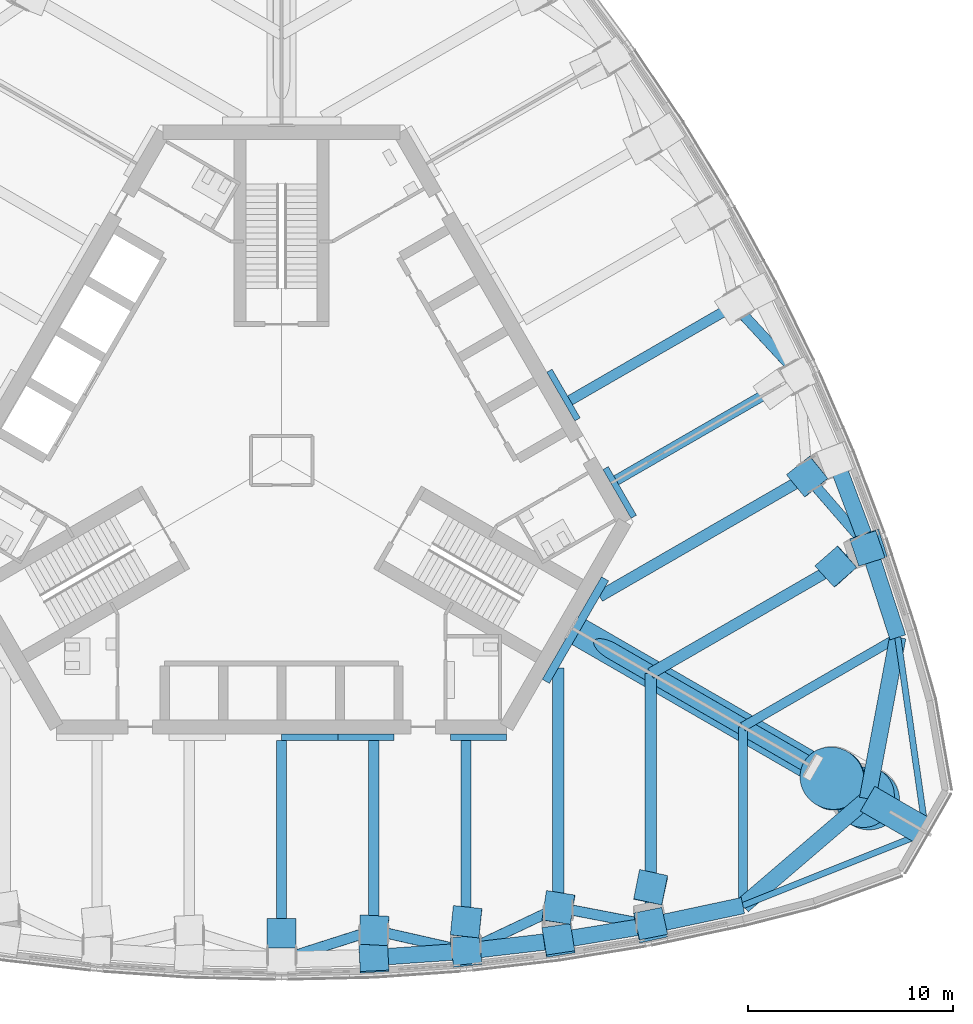
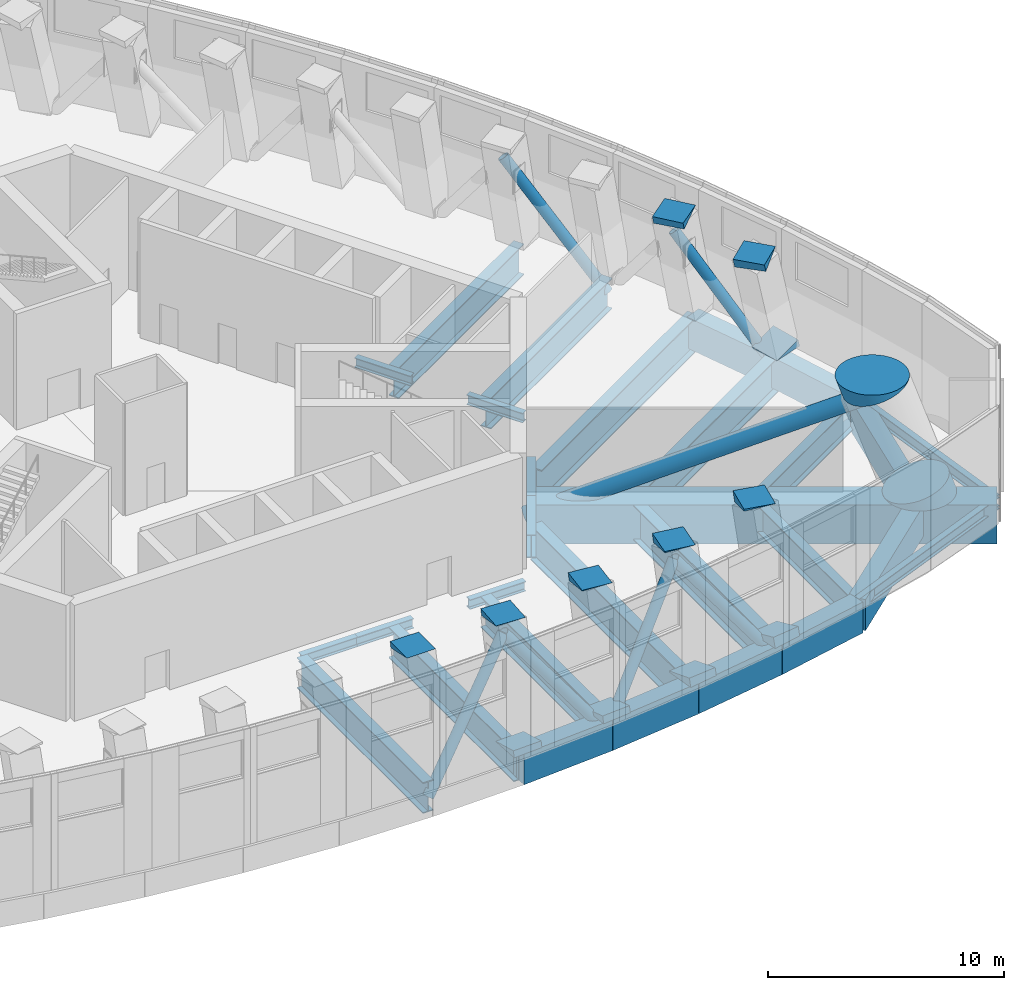
# One storey, part 3 of 22: 30 beams, 21 members.
"""IFC4 building model written with IfcOpenShell, lengths in metres."""

from ifc_helpers import new_model, si_unit, direction, frame, origin, origin_2d, place, context, subcontext, project, spatial, rectangle, circle, hollow_circle, i_section, extrude, clip, halfspace, material, material_profile, profile_set, type_object, element, save


model = new_model("IFC4")

# Units and contexts
model_context = context("Model", 3, precision=1e-05, world=origin(), true_north=direction((0.0, 1.0)))
body_context = subcontext(model_context, "Body", "Model", "MODEL_VIEW")
ifc_project = project(units=[si_unit("LENGTHUNIT", "METRE"), si_unit("AREAUNIT", "SQUARE_METRE"), si_unit("VOLUMEUNIT", "CUBIC_METRE"), si_unit("PLANEANGLEUNIT", "RADIAN"), si_unit("MASSUNIT", "GRAM", prefix="KILO")], contexts=[model_context])

# Site, building, storey
site_placement = place(None, origin())
site = spatial("IfcSite", under=ifc_project, at=site_placement, CompositionType="ELEMENT")
building_placement = place(site_placement, origin())
building = spatial("IfcBuilding", under=site, at=building_placement, Name="Trefoil Bronze Tower", CompositionType="ELEMENT")
storey_placement = place(building_placement, frame((0.0, 0.0, 265.300048828125)))
storey = spatial("IfcBuildingStorey", under=building, at=storey_placement, Name="L61", CompositionType="ELEMENT", Elevation=265.300048828125)

# Members
ifc_material_1 = material(Name="Steel C355", Category="steel")
ifc_material_profile_1 = material_profile(ifc_material_1, hollow_circle(Radius=0.25390625, WallThickness=0.02001953125, at=origin_2d()), Name="CHS 508x20")
ifc_profile_set_1 = profile_set([ifc_material_profile_1], Name="Steel C355")
member_type_1 = type_object("IfcMemberType", Name="Belt truss diagonal CHS 508x20", PredefinedType="BRACE", material=ifc_profile_set_1)
member_1_placement = place(storey_placement, frame((0.0, -24.3505859375, -1.050048828125), z_axis=(0.586260665905, 0.187182292689, 0.788201256607), x_axis=(-0.304154940305, 0.952622575991, 0.0)))
element("IfcMember", 1, at=member_1_placement, inside=storey, type_object=member_type_1, Name="Belt truss diagonal F1.5 L61", PredefinedType="BRACE", context=body_context, shape_type="SweptSolid", body=[
    extrude(hollow_circle(Radius=0.25390625, WallThickness=0.02001953125, at=origin_2d()), origin(), (0.0, 0.0, 1.0), 7.67578125),
])
member_2_placement = place(storey_placement, frame((9.0, -23.932861328125, -1.050048828125), z_axis=(-0.591432198827, 0.133932183046, 0.795154151429), x_axis=(-0.220861740551, -0.975305127414, 0.0)))
element("IfcMember", 2, at=member_2_placement, inside=storey, type_object=member_type_1, Name="Belt truss diagonal F1.6 L61", PredefinedType="BRACE", context=body_context, shape_type="SweptSolid", body=[
    extrude(hollow_circle(Radius=0.25390625, WallThickness=0.02001953125, at=origin_2d()), origin(), (0.0, 0.0, 1.0), 7.608642578125),
])
member_3_placement = place(storey_placement, frame((9.0, -23.932861328125, -1.050048828125), z_axis=(0.574330415739, 0.271865933015, 0.7721615686), x_axis=(-0.427848134135, 0.903850637062, 0.0)))
element("IfcMember", 3, at=member_3_placement, inside=storey, type_object=member_type_1, Name="Belt truss diagonal F1.7 L61", PredefinedType="BRACE", context=body_context, shape_type="SweptSolid", body=[
    extrude(hollow_circle(Radius=0.25390625, WallThickness=0.02001953125, at=origin_2d()), origin(), (0.0, 0.0, 1.0), 7.835205078125),
])
member_4_placement = place(storey_placement, frame((18.0, -22.6689453125, -1.050048828125), z_axis=(-0.592909499629, 0.114129931895, 0.797140316315), x_axis=(-0.189021276876, -0.981972991934, 0.0)))
element("IfcMember", 4, at=member_4_placement, inside=storey, type_object=member_type_1, Name="Belt truss diagonal F1.8 L61", PredefinedType="BRACE", context=body_context, shape_type="SweptSolid", body=[
    extrude(hollow_circle(Radius=0.25390625, WallThickness=0.02001953125, at=origin_2d()), origin(), (0.0, 0.0, 1.0), 7.589599609375),
])
member_5_placement = place(storey_placement, frame((28.632080078125, -4.25390625, -1.050048828125), z_axis=(-0.395333956478, 0.456387158219, 0.797133504921), x_axis=(-0.755854289875, -0.654739866265, 0.0)))
element("IfcMember", 5, at=member_5_placement, inside=storey, type_object=member_type_1, Name="Belt truss diagonal F2.1 L61", PredefinedType="BRACE", context=body_context, shape_type="SweptSolid", body=[
    extrude(hollow_circle(Radius=0.25390625, WallThickness=0.02001953125, at=origin_2d()), origin(), (0.0, 0.0, 1.0), 7.58984375),
])
member_6_placement = place(storey_placement, frame((25.2265625, 4.17236328125, -1.050048828125), z_axis=(-0.411713780326, 0.445213054479, 0.795158537156), x_axis=(-0.734188455792, -0.678945735226, 0.0)))
element("IfcMember", 6, at=member_6_placement, inside=storey, type_object=member_type_1, Name="Belt truss diagonal F2.3 L61", PredefinedType="BRACE", context=body_context, shape_type="SweptSolid", body=[
    extrude(hollow_circle(Radius=0.25390625, WallThickness=0.02001953125, at=origin_2d()), origin(), (0.0, 0.0, 1.0), 7.608642578125),
])
ifc_material_2 = material(Name="Concrete B80", Category="concrete")
ifc_material_profile_2 = material_profile(ifc_material_2, rectangle(XDim=1.39990234375, YDim=1.39990234375, at=origin_2d()), Name="RC 1400x1400")
ifc_profile_set_2 = profile_set([ifc_material_profile_2], Name="Concrete B80")
member_type_2 = type_object("IfcMemberType", Name="Column node RC 1400x1400", PredefinedType="MEMBER", material=ifc_profile_set_2)
member_7_placement = place(storey_placement, frame((0.0, -23.019287109375, 6.149169921875), z_axis=(0.0, -0.211931582574, -0.977284505304), x_axis=(-1.0, 0.0, 0.0)))
element("IfcMember", 7, at=member_7_placement, inside=storey, type_object=member_type_2, Name="Column node TC1414 L61 top", PredefinedType="MEMBER", context=body_context, shape_type="Clipping", body=[
    clip(extrude(rectangle(XDim=1.39990234375, YDim=1.39990234375, at=origin_2d()), origin(), (0.0, 0.0, 1.0), 0.30517578125), halfspace(frame((0.0, 0.0, 0.152587890625), z_axis=(-2.595413342376598e-17, 0.21193158257414513, 0.9772845053041711), x_axis=(0.0, 0.9772845053041711, -0.21193158257414513)), True)),
])
member_8_placement = place(storey_placement, frame((4.5, -24.281982421875, -0.160400390625), z_axis=(0.0, 0.216930457819, 0.976187060184), x_axis=(0.998647449016, 0.050754898739, -0.011278866387)))
element("IfcMember", 8, at=member_8_placement, inside=storey, type_object=member_type_2, Name="Column node TC1414 L61 bottom", PredefinedType="MEMBER", context=body_context, shape_type="Clipping", body=[
    clip(extrude(rectangle(XDim=1.39990234375, YDim=1.39990234375, at=origin_2d()), origin(), (0.0, 0.0, 1.0), 0.32861328125), halfspace(frame((0.0, 0.0, 0.164306640625), z_axis=(-0.011278866386525954, -0.21663704831456382, 0.9761870601839528), x_axis=(0.0, 0.9762491578665183, 0.21665082913507133)), True)),
])
member_9_placement = place(storey_placement, frame((4.5, -22.878173828125, 6.160400390625), z_axis=(0.0, -0.216930457819, -0.976187060184), x_axis=(-0.998647449016, 0.050754898739, -0.011278866387)))
element("IfcMember", 9, at=member_9_placement, inside=storey, type_object=member_type_2, Name="Column node TC1414 L61 top", PredefinedType="MEMBER", context=body_context, shape_type="Clipping", body=[
    clip(extrude(rectangle(XDim=1.39990234375, YDim=1.39990234375, at=origin_2d()), origin(), (0.0, 0.0, 1.0), 0.32861328125), halfspace(frame((0.0, 0.0, 0.164306640625), z_axis=(0.011278866386525954, 0.21663704831456382, 0.9761870601839528), x_axis=(0.0, 0.9762491578665183, -0.21665082913507133)), True)),
])
member_10_placement = place(storey_placement, frame((9.0, -23.975830078125, -0.1796875), z_axis=(0.0, 0.231948088416, 0.972728165666), x_axis=(0.994615241978, 0.10081012514, -0.024038283916)))
element("IfcMember", 10, at=member_10_placement, inside=storey, type_object=member_type_2, Name="Column node TC1414 L61 bottom", PredefinedType="MEMBER", context=body_context, shape_type="Clipping", body=[
    clip(extrude(rectangle(XDim=1.39990234375, YDim=1.39990234375, at=origin_2d()), origin(), (0.0, 0.0, 1.0), 0.369384765625), halfspace(frame((0.0, 0.0, 0.1845703125), z_axis=(-0.02403828391574138, -0.23069910408659625, 0.9727281656660447), x_axis=(0.0, 0.9730093277025166, 0.23076578646735452)), True)),
])
member_11_placement = place(storey_placement, frame((9.0, -22.456298828125, 6.1796875), z_axis=(0.0, -0.231948088416, -0.972728165666), x_axis=(-0.994615241978, 0.10081012514, -0.024038283916)))
element("IfcMember", 11, at=member_11_placement, inside=storey, type_object=member_type_2, Name="Column node TC1414 L61 top", PredefinedType="MEMBER", context=body_context, shape_type="Clipping", body=[
    clip(extrude(rectangle(XDim=1.39990234375, YDim=1.39990234375, at=origin_2d()), origin(), (0.0, 0.0, 1.0), 0.369384765625), halfspace(frame((0.0, 0.0, 0.184814453125), z_axis=(0.02403828391574138, 0.23069910408659625, 0.9727281656660447), x_axis=(0.0, 0.9730093277025166, -0.23076578646735452)), True)),
])
member_12_placement = place(storey_placement, frame((13.5, -23.4638671875, -0.207763671875), z_axis=(0.0, 0.258263185459, 0.966074597035), x_axis=(0.987991746105, 0.149264964439, -0.03990338356)))
element("IfcMember", 12, at=member_12_placement, inside=storey, type_object=member_type_2, Name="Column node TC1414 L61 bottom", PredefinedType="MEMBER", context=body_context, shape_type="Clipping", body=[
    clip(extrude(rectangle(XDim=1.39990234375, YDim=1.39990234375, at=origin_2d()), origin(), (0.0, 0.0, 1.0), 0.43017578125), halfspace(frame((0.0, 0.0, 0.215087890625), z_axis=(-0.03990338356040062, -0.2551618955561232, 0.9660745970351553), x_axis=(0.0, 0.9668446473982658, 0.2553652830698079)), True)),
])
member_13_placement = place(storey_placement, frame((13.5, -21.7470703125, 6.207763671875), z_axis=(0.0, -0.258792820704, -0.965932852714), x_axis=(-0.987991746105, 0.149243063997, -0.039985215736)))
element("IfcMember", 13, at=member_13_placement, inside=storey, type_object=member_type_2, Name="Column node TC1414 L61 top", PredefinedType="MEMBER", context=body_context, shape_type="Clipping", body=[
    clip(extrude(rectangle(XDim=1.39990234375, YDim=1.39990234375, at=origin_2d()), origin(), (0.0, 0.0, 1.0), 0.43017578125), halfspace(frame((0.0, 0.0, 0.215087890625), z_axis=(0.039985215735906535, 0.25568517080640274, 0.9659328527140246), x_axis=(0.0, 0.9667059550382476, -0.25588981318839066)), True)),
])
member_14_placement = place(storey_placement, frame((18.0, -22.744873046875, -0.245361328125), z_axis=(0.0, 0.295187934883, 0.955439209526), x_axis=(0.97894629738, 0.195022314645, -0.060253162883)))
element("IfcMember", 14, at=member_14_placement, inside=storey, type_object=member_type_2, Name="Column node TC1414 L61 bottom", PredefinedType="MEMBER", context=body_context, shape_type="Clipping", body=[
    clip(extrude(rectangle(XDim=1.39990234375, YDim=1.39990234375, at=origin_2d()), origin(), (0.0, 0.0, 1.0), 0.513671875), halfspace(frame((0.0, 0.0, 0.2568359375), z_axis=(-0.0602531628828244, -0.28897313588517376, 0.9554392095258101), x_axis=(0.0, 0.9571782802592637, 0.2894991188240796)), True)),
])
member_15_placement = place(storey_placement, frame((18.0, -20.740478515625, 6.245361328125), z_axis=(0.0, -0.29475392013, -0.95557319268), x_axis=(-0.97894629738, 0.195049663015, -0.060164572671)))
element("IfcMember", 15, at=member_15_placement, inside=storey, type_object=member_type_2, Name="Column node TC1414 L61 top", PredefinedType="MEMBER", context=body_context, shape_type="Clipping", body=[
    clip(extrude(rectangle(XDim=1.39990234375, YDim=1.39990234375, at=origin_2d()), origin(), (0.0, 0.0, 1.0), 0.513427734375), halfspace(frame((0.0, 0.0, 0.2568359375), z_axis=(0.06016457267118556, 0.28854825874941586, 0.955573192679647), x_axis=(0.0, 0.9573073824973932, -0.28907192083630256)), True)),
])
member_16_placement = place(storey_placement, frame((25.58349609375, -0.81787109375, 6.207763671875), z_axis=(0.224170970266, 0.129394889166, -0.965921497197), x_axis=(0.623163507295, -0.781068436186, 0.039991763767)))
element("IfcMember", 16, at=member_16_placement, inside=storey, type_object=member_type_2, Name="Column node TC1414 L61 top", PredefinedType="MEMBER", context=body_context, shape_type="Clipping", body=[
    clip(extrude(rectangle(XDim=1.39990234375, YDim=1.39990234375, at=origin_2d()), origin(), (0.0, 0.0, 1.0), 0.43017578125), halfspace(frame((0.0, 0.0, 0.215087890625), z_axis=(-0.03999176376691203, 0.25572704214297737, 0.9659214971971664), x_axis=(0.0, 0.9666948439632254, -0.255931785159474)), True)),
])
member_17_placement = place(storey_placement, frame((28.697509765625, -4.216064453125, -0.245361328125), z_axis=(-0.25529293696, -0.147375810908, 0.955565741693), x_axis=(-0.320507525756, 0.94533304017, 0.060169503046)))
element("IfcMember", 17, at=member_17_placement, inside=storey, type_object=member_type_2, Name="Column node TC1414 L61 bottom", PredefinedType="MEMBER", context=body_context, shape_type="Clipping", body=[
    clip(extrude(rectangle(XDim=1.39990234375, YDim=1.39990234375, at=origin_2d()), origin(), (0.0, 0.0, 1.0), 0.513427734375), halfspace(frame((0.0, 0.0, 0.2568359375), z_axis=(0.06016950304559612, -0.28857190474053634, 0.9555657416931944), x_axis=(0.0, 0.957300202999786, 0.2890956958112114)), True)),
])
member_18_placement = place(storey_placement, frame((26.961669921875, -5.21826171875, 6.245361328125), z_axis=(0.25573727753, 0.147357910844, -0.95544967999), x_axis=(0.657726052842, -0.750844077946, 0.060246244908)))
element("IfcMember", 18, at=member_18_placement, inside=storey, type_object=member_type_2, Name="Column node TC1414 L61 top", PredefinedType="MEMBER", context=body_context, shape_type="Clipping", body=[
    clip(extrude(rectangle(XDim=1.39990234375, YDim=1.39990234375, at=origin_2d()), origin(), (0.0, 0.0, 1.0), 0.513671875), halfspace(frame((0.0, 0.0, 0.2568359375), z_axis=(-0.06024624490829453, 0.2889399573979671, 0.9554496799901662), x_axis=(0.0, 0.9571883693663649, -0.28946575885544656)), True)),
])
ifc_material_3 = material(Name="Concrete B80", Category="concrete")
ifc_material_profile_3 = material_profile(ifc_material_3, circle(Radius=1.5, at=origin_2d()), Name="RC D3000")
ifc_profile_set_3 = profile_set([ifc_material_profile_3], Name="Concrete B80")
member_type_3 = type_object("IfcMemberType", Name="Column node RC D3000", PredefinedType="MEMBER", material=ifc_profile_set_3)
member_19_placement = place(storey_placement, frame((28.716064453125, -16.5791015625, -0.475341796875), z_axis=(-0.273849064613, 0.157877396681, 0.948726207832), x_axis=(-0.499455527893, -0.866339526777, 0.0)))
element("IfcMember", 19, at=member_19_placement, inside=storey, type_object=member_type_3, Name="Column node MC30 L61 bottom", PredefinedType="MEMBER", context=body_context, shape_type="Clipping", body=[
    clip(extrude(circle(Radius=1.5, at=origin_2d()), origin(), (0.0, 0.0, 1.0), 1.001953125), halfspace(frame((0.0, 0.0, 0.5009765625), z_axis=(0.0, 0.3160990075470131, 0.9487262078322668), x_axis=(0.0, 0.9487262078322668, -0.3160990075470131)), True)),
])
member_20_placement = place(storey_placement, frame((26.70947265625, -15.4208984375, 6.475341796875), z_axis=(0.273849064613, -0.157877396681, -0.948726207832), x_axis=(0.499455527893, 0.866339526777, 0.0)))
element("IfcMember", 20, at=member_20_placement, inside=storey, type_object=member_type_3, Name="Column node MC30 L61 top", PredefinedType="MEMBER", context=body_context, shape_type="Clipping", body=[
    clip(extrude(circle(Radius=1.5, at=origin_2d()), origin(), (0.0, 0.0, 1.0), 1.001953125), halfspace(frame((0.0, 0.0, 0.501220703125), z_axis=(0.0, -0.3160990075470131, 0.9487262078322668), x_axis=(0.0, 0.9487262078322668, 0.3160990075470131)), True)),
])

# Beams
ifc_material_4 = material(Name="Steel C355", Category="steel")
ifc_material_profile_4 = material_profile(ifc_material_4, i_section(OverallWidth=0.300048828125, OverallDepth=0.5, WebThickness=0.014404296875, FlangeThickness=0.028076171875, FilletRadius=0.027099609375, at=origin_2d()), Name="HEB 500")
ifc_profile_set_4 = profile_set([ifc_material_profile_4], Name="Steel C355")
beam_type_1 = type_object("IfcBeamType", Name="Core seat beam HEB 500", PredefinedType="BEAM", material=ifc_profile_set_4)
for number, where, z_axis, x_axis, name in (
    (21, (0.0, -13.5, -0.5), (1.0, 0.0, 0.0), (0.0, 1.0, 0.0), "Core seat beam F1/+0 L61"),
    (22, (2.742431640625, -13.5, -0.5), (1.0, 0.0, 0.0), (0.0, 1.0, 0.0), "Core seat beam F1/+1 L61"),
    (23, (8.227294921875, -13.5, -0.5), (1.0, 0.0, 0.0), (0.0, 1.0, 0.0), "Core seat beam F1/+2 L61"),
    (24, (17.17626953125, -2.75, -0.5), (-0.500035825175, 0.866004719122, 0.0), (-0.866004719122, -0.500035825175, 0.0), "Core seat beam F2/-2 L61"),
    (25, (14.433837890625, 2.0, -0.5), (-0.500035825175, 0.866004719122, 0.0), (-0.866004719122, -0.500035825175, 0.0), "Core seat beam F2/-1 L61"),
):
    element("IfcBeam", number, at=place(storey_placement, frame(where, z_axis=z_axis, x_axis=x_axis)), inside=storey, type_object=beam_type_1, Name=name, PredefinedType="BEAM", context=body_context, shape_type="SweptSolid", body=[
        extrude(i_section(OverallWidth=0.300048828125, OverallDepth=0.5, WebThickness=0.014404296875, FlangeThickness=0.028076171875, FilletRadius=0.027099609375, at=origin_2d()), origin(), (0.0, 0.0, 1.0), 2.742431640625),
    ])
ifc_material_5 = material(Name="Steel C355", Category="steel")
ifc_material_profile_5 = material_profile(ifc_material_5, i_section(OverallWidth=0.39990234375, OverallDepth=1.199951171875, WebThickness=0.02001953125, FlangeThickness=0.0400390625, FilletRadius=0.010009765625, at=origin_2d()), Name="WPG 1200")
ifc_profile_set_5 = profile_set([ifc_material_profile_5], Name="Steel C355")
beam_type_2 = type_object("IfcBeamType", Name="Core seat beam WPG 1200", PredefinedType="BEAM", material=ifc_profile_set_5)
for number, where, z_axis, x_axis, name in (
    (26, (12.889404296875, -10.77490234375, -0.85009765625), (0.499995765644, 0.866027848477, 0.0), (-0.866027848477, 0.499995765644, 0.0), "Core seat beam F1/+3 L61"),
    (27, (14.332763671875, -8.27490234375, -0.85009765625), (0.499995765644, 0.866027848477, 0.0), (-0.866027848477, 0.499995765644, 0.0), "Core seat beam F2/-3 L61"),
):
    element("IfcBeam", number, at=place(storey_placement, frame(where, z_axis=z_axis, x_axis=x_axis)), inside=storey, type_object=beam_type_2, Name=name, PredefinedType="BEAM", context=body_context, shape_type="SweptSolid", body=[
        extrude(i_section(OverallWidth=0.39990234375, OverallDepth=1.199951171875, WebThickness=0.02001953125, FlangeThickness=0.0400390625, FilletRadius=0.010009765625, at=origin_2d()), origin(), (0.0, 0.0, 1.0), 2.88671875),
    ])
ifc_material_6 = material(Name="Concrete B80", Category="concrete")
ifc_material_profile_6 = material_profile(ifc_material_6, rectangle(XDim=1.39990234375, YDim=2.0, at=origin_2d()), Name="RC 1400x2000")
ifc_profile_set_6 = profile_set([ifc_material_profile_6], Name="Concrete B80")
beam_type_3 = type_object("IfcBeamType", Name="Corner cantilever RC 1400x2000", PredefinedType="BEAM", material=ifc_profile_set_6)
beam_1_placement = place(storey_placement, frame((28.578857421875, -16.5, -1.25), z_axis=(0.866016004958, -0.500016278891, 0.0), x_axis=(0.500016278891, 0.866016004958, 0.0)))
element("IfcBeam", 28, at=beam_1_placement, inside=storey, type_object=beam_type_3, Name="Corner cantilever K1 L61", PredefinedType="BEAM", context=body_context, shape_type="SweptSolid", body=[
    extrude(rectangle(XDim=1.39990234375, YDim=2.0, at=origin_2d()), origin(), (0.0, 0.0, 1.0), 3.28466796875),
])
ifc_material_7 = material(Name="Steel C355", Category="steel")
ifc_material_profile_7 = material_profile(ifc_material_7, i_section(OverallWidth=0.300048828125, OverallDepth=0.60009765625, WebThickness=0.015380859375, FlangeThickness=0.030029296875, FilletRadius=0.027099609375, at=origin_2d()), Name="HEB 600")
ifc_profile_set_7 = profile_set([ifc_material_profile_7], Name="Steel C355")
beam_type_4 = type_object("IfcBeamType", Name="Corner edge beam HEB 600", PredefinedType="BEAM", material=ifc_profile_set_7)
for number, where, z_axis, x_axis, name in (
    (29, (22.5, -21.71044921875, -0.550048828125), (0.92852048463, 0.371281173266, 0.0), (-0.371281173266, 0.92852048463, 0.0), "Corner edge beam F1A L61"),
    (30, (30.052001953125, -8.63037109375, -0.550048828125), (0.142694489722, -0.989766781925, 0.0), (0.989766781925, 0.142694489722, 0.0), "Corner edge beam F2B L61"),
):
    element("IfcBeam", number, at=place(storey_placement, frame(where, z_axis=z_axis, x_axis=x_axis)), inside=storey, type_object=beam_type_4, Name=name, PredefinedType="BEAM", context=body_context, shape_type="SweptSolid", body=[
        extrude(i_section(OverallWidth=0.300048828125, OverallDepth=0.60009765625, WebThickness=0.015380859375, FlangeThickness=0.030029296875, FilletRadius=0.027099609375, at=origin_2d()), origin(), (0.0, 0.0, 1.0), 9.6103515625),
    ])
ifc_material_8 = material(Name="Concrete B80", Category="concrete")
ifc_material_profile_8 = material_profile(ifc_material_8, rectangle(XDim=1.39990234375, YDim=2.0, at=origin_2d()), Name="RC 1400x2000")
ifc_profile_set_8 = profile_set([ifc_material_profile_8], Name="Concrete B80")
beam_type_5 = type_object("IfcBeamType", Name="Corner girder RC 1400x2000", PredefinedType="BEAM", material=ifc_profile_set_8)
beam_2_placement = place(storey_placement, frame((14.159423828125, -8.175048828125, -1.25), z_axis=(0.866028334591, -0.49999492366, 0.0), x_axis=(0.49999492366, 0.866028334591, 0.0)))
element("IfcBeam", 31, at=beam_2_placement, inside=storey, type_object=beam_type_5, Name="Corner girder K1 L61", PredefinedType="BEAM", context=body_context, shape_type="SweptSolid", body=[
    extrude(rectangle(XDim=1.39990234375, YDim=2.0, at=origin_2d()), origin(), (0.0, 0.0, 1.0), 16.650146484375),
])
ifc_material_9 = material(Name="Concrete B80", Category="concrete")
ifc_material_profile_9 = material_profile(ifc_material_9, rectangle(XDim=0.800048828125, YDim=1.60009765625, at=origin_2d()), Name="RC 800x1600")
ifc_profile_set_9 = profile_set([ifc_material_profile_9], Name="Concrete B80")
beam_type_6 = type_object("IfcBeamType", Name="End spandrel beam RC 800x1600", PredefinedType="SPANDREL", material=ifc_profile_set_9)
for number, where, z_axis, x_axis, name in (
    (32, (22.5, -21.71044921875, -1.050048828125), (0.759256602365, 0.650791373456, 0.0), (-0.650791373456, 0.759256602365, 0.0), "Spandrel F1.12 L61"),
    (33, (28.578857421875, -16.5, -1.050048828125), (0.18399763073, 0.982926686933, 0.0), (-0.982926686933, 0.18399763073, 0.0), "Spandrel F2.1 L61"),
):
    element("IfcBeam", number, at=place(storey_placement, frame(where, z_axis=z_axis, x_axis=x_axis)), inside=storey, type_object=beam_type_6, Name=name, PredefinedType="SPANDREL", context=body_context, shape_type="SweptSolid", body=[
        extrude(rectangle(XDim=0.800048828125, YDim=1.60009765625, at=origin_2d()), origin(), (0.0, 0.0, 1.0), 8.00634765625),
    ])
ifc_material_10 = material(Name="Steel C355", Category="steel")
ifc_material_profile_10 = material_profile(ifc_material_10, i_section(OverallWidth=0.449951171875, OverallDepth=1.39990234375, WebThickness=0.02294921875, FlangeThickness=0.044921875, FilletRadius=0.011962890625, at=origin_2d()), Name="WPG 1400")
ifc_profile_set_10 = profile_set([ifc_material_profile_10], Name="Steel C355")
beam_type_7 = type_object("IfcBeamType", Name="Floor beam WPG 1400", PredefinedType="BEAM", material=ifc_profile_set_10)
beam_3_placement = place(storey_placement, frame((22.5, -21.71044921875, -0.949951171875), z_axis=(0.0, 1.0, 0.0), x_axis=(-1.0, 0.0, 0.0)))
element("IfcBeam", 34, at=beam_3_placement, inside=storey, type_object=beam_type_7, Name="Floor beam F1/+5 L61", PredefinedType="BEAM", context=body_context, shape_type="SweptSolid", body=[
    extrude(i_section(OverallWidth=0.449951171875, OverallDepth=1.39990234375, WebThickness=0.02294921875, FlangeThickness=0.044921875, FilletRadius=0.011962890625, at=origin_2d()), origin(), (0.0, 0.0, 1.0), 8.719970703125),
])
beam_4_placement = place(storey_placement, frame((30.052001953125, -8.63037109375, -0.949951171875), z_axis=(-0.866027535932, -0.499996306993, 0.0), x_axis=(0.499996306993, -0.866027535932, 0.0)))
element("IfcBeam", 35, at=beam_4_placement, inside=storey, type_object=beam_type_7, Name="Floor beam F2/-5 L61", PredefinedType="BEAM", context=body_context, shape_type="SweptSolid", body=[
    extrude(i_section(OverallWidth=0.449951171875, OverallDepth=1.39990234375, WebThickness=0.02294921875, FlangeThickness=0.044921875, FilletRadius=0.011962890625, at=origin_2d()), origin(), (0.0, 0.0, 1.0), 8.72021484375),
])
ifc_material_11 = material(Name="Steel C355", Category="steel")
ifc_material_profile_11 = material_profile(ifc_material_11, i_section(OverallWidth=0.5, OverallDepth=1.60009765625, WebThickness=0.02587890625, FlangeThickness=0.050048828125, FilletRadius=0.011962890625, at=origin_2d()), Name="WPG 1600")
ifc_profile_set_11 = profile_set([ifc_material_profile_11], Name="Steel C355")
beam_type_8 = type_object("IfcBeamType", Name="Floor beam WPG 1600", PredefinedType="BEAM", material=ifc_profile_set_11)
beam_5_placement = place(storey_placement, frame((0.0, -24.3505859375, -1.050048828125), z_axis=(0.0, 1.0, 0.0), x_axis=(-1.0, 0.0, 0.0)))
element("IfcBeam", 36, at=beam_5_placement, inside=storey, type_object=beam_type_8, Name="Floor beam F1/+0 L61", PredefinedType="BEAM", context=body_context, shape_type="SweptSolid", body=[
    extrude(i_section(OverallWidth=0.5, OverallDepth=1.60009765625, WebThickness=0.02587890625, FlangeThickness=0.050048828125, FilletRadius=0.011962890625, at=origin_2d()), origin(), (0.0, 0.0, 1.0), 10.70068359375),
])
beam_6_placement = place(storey_placement, frame((4.5, -24.246337890625, -1.050048828125), z_axis=(0.0, 1.0, 0.0), x_axis=(-1.0, 0.0, 0.0)))
element("IfcBeam", 37, at=beam_6_placement, inside=storey, type_object=beam_type_8, Name="Floor beam F1/+1 L61", PredefinedType="BEAM", context=body_context, shape_type="SweptSolid", body=[
    extrude(i_section(OverallWidth=0.5, OverallDepth=1.60009765625, WebThickness=0.02587890625, FlangeThickness=0.050048828125, FilletRadius=0.011962890625, at=origin_2d()), origin(), (0.0, 0.0, 1.0), 10.596435546875),
])
for number, where, z_axis, x_axis, name in (
    (38, (9.0, -23.932861328125, -1.050048828125), (0.0, 1.0, 0.0), (-1.0, 0.0, 0.0), "Floor beam F1/+2 L61"),
    (39, (25.2265625, 4.17236328125, -1.050048828125), (-0.866019527493, -0.500010177898, 0.0), (0.500010177898, -0.866019527493, 0.0), "Floor beam F2/-2 L61"),
):
    element("IfcBeam", number, at=place(storey_placement, frame(where, z_axis=z_axis, x_axis=x_axis)), inside=storey, type_object=beam_type_8, Name=name, PredefinedType="BEAM", context=body_context, shape_type="SweptSolid", body=[
        extrude(i_section(OverallWidth=0.5, OverallDepth=1.60009765625, WebThickness=0.02587890625, FlangeThickness=0.050048828125, FilletRadius=0.011962890625, at=origin_2d()), origin(), (0.0, 0.0, 1.0), 10.282958984375),
    ])
beam_7_placement = place(storey_placement, frame((23.248046875, 8.22607421875, -1.050048828125), z_axis=(-0.86602981261, -0.499992363612, 0.0), x_axis=(0.499992363612, -0.86602981261, 0.0)))
element("IfcBeam", 40, at=beam_7_placement, inside=storey, type_object=beam_type_8, Name="Floor beam F2/-1 L61", PredefinedType="BEAM", context=body_context, shape_type="SweptSolid", body=[
    extrude(i_section(OverallWidth=0.5, OverallDepth=1.60009765625, WebThickness=0.02587890625, FlangeThickness=0.050048828125, FilletRadius=0.011962890625, at=origin_2d()), origin(), (0.0, 0.0, 1.0), 10.596435546875),
])
ifc_material_12 = material(Name="Steel C355", Category="steel")
ifc_material_profile_12 = material_profile(ifc_material_12, i_section(OverallWidth=0.550048828125, OverallDepth=1.800048828125, WebThickness=0.029052734375, FlangeThickness=0.054931640625, FilletRadius=0.013916015625, at=origin_2d()), Name="WPG 1800")
ifc_profile_set_12 = profile_set([ifc_material_profile_12], Name="Steel C355")
beam_type_9 = type_object("IfcBeamType", Name="Floor beam WPG 1800", PredefinedType="BEAM", material=ifc_profile_set_12)
beam_8_placement = place(storey_placement, frame((13.5, -23.408447265625, -1.150146484375), z_axis=(0.0, 1.0, 0.0), x_axis=(-1.0, 0.0, 0.0)))
element("IfcBeam", 41, at=beam_8_placement, inside=storey, type_object=beam_type_9, Name="Floor beam F1/+3 L61", PredefinedType="BEAM", context=body_context, shape_type="SweptSolid", body=[
    extrude(i_section(OverallWidth=0.550048828125, OverallDepth=1.800048828125, WebThickness=0.029052734375, FlangeThickness=0.054931640625, FilletRadius=0.013916015625, at=origin_2d()), origin(), (0.0, 0.0, 1.0), 13.291015625),
])
beam_9_placement = place(storey_placement, frame((18.0, -22.6689453125, -1.150146484375), z_axis=(0.0, 1.0, 0.0), x_axis=(-1.0, 0.0, 0.0)))
element("IfcBeam", 42, at=beam_9_placement, inside=storey, type_object=beam_type_9, Name="Floor beam F1/+4 L61", PredefinedType="BEAM", context=body_context, shape_type="SweptSolid", body=[
    extrude(i_section(OverallWidth=0.550048828125, OverallDepth=1.800048828125, WebThickness=0.029052734375, FlangeThickness=0.054931640625, FilletRadius=0.013916015625, at=origin_2d()), origin(), (0.0, 0.0, 1.0), 12.276611328125),
])
beam_10_placement = place(storey_placement, frame((28.632080078125, -4.25390625, -1.150146484375), z_axis=(-0.866025635187, -0.499999599199, 0.0), x_axis=(0.499999599199, -0.866025635187, 0.0)))
element("IfcBeam", 43, at=beam_10_placement, inside=storey, type_object=beam_type_9, Name="Floor beam F2/-4 L61", PredefinedType="BEAM", context=body_context, shape_type="SweptSolid", body=[
    extrude(i_section(OverallWidth=0.550048828125, OverallDepth=1.800048828125, WebThickness=0.029052734375, FlangeThickness=0.054931640625, FilletRadius=0.013916015625, at=origin_2d()), origin(), (0.0, 0.0, 1.0), 12.27685546875),
])
beam_11_placement = place(storey_placement, frame((27.022216796875, 0.012939453125, -1.150146484375), z_axis=(-0.866023461342, -0.500003364394, 0.0), x_axis=(0.500003364394, -0.866023461342, 0.0)))
element("IfcBeam", 44, at=beam_11_placement, inside=storey, type_object=beam_type_9, Name="Floor beam F2/-3 L61", PredefinedType="BEAM", context=body_context, shape_type="SweptSolid", body=[
    extrude(i_section(OverallWidth=0.550048828125, OverallDepth=1.800048828125, WebThickness=0.029052734375, FlangeThickness=0.054931640625, FilletRadius=0.013916015625, at=origin_2d()), origin(), (0.0, 0.0, 1.0), 13.291015625),
])

# Member
ifc_material_13 = material(Name="Steel C355", Category="steel")
ifc_material_profile_13 = material_profile(ifc_material_13, hollow_circle(Radius=0.406494140625, WallThickness=0.030029296875, at=origin_2d()), Name="CHS 813x30")
ifc_profile_set_13 = profile_set([ifc_material_profile_13], Name="Steel C355")
member_type_4 = type_object("IfcMemberType", Name="Outrigger brace CHS 813x30", PredefinedType="BRACE", material=ifc_profile_set_13)
member_21_placement = place(storey_placement, frame((14.1162109375, -8.14990234375, -1.25), z_axis=(0.795997356442, -0.459579173309, 0.393922824927), x_axis=(0.500008066151, 0.86602074674, 0.0)))
element("IfcMember", 45, at=member_21_placement, inside=storey, type_object=member_type_4, Name="Outrigger brace K1 L61", PredefinedType="BRACE", context=body_context, shape_type="SweptSolid", body=[
    extrude(hollow_circle(Radius=0.406494140625, WallThickness=0.030029296875, at=origin_2d()), origin(), (0.0, 0.0, 1.0), 15.9931640625),
])

# Beams
ifc_material_14 = material(Name="Concrete B80", Category="concrete")
ifc_material_profile_14 = material_profile(ifc_material_14, rectangle(XDim=0.800048828125, YDim=1.60009765625, at=origin_2d()), Name="RC 800x1600")
ifc_profile_set_14 = profile_set([ifc_material_profile_14], Name="Concrete B80")
beam_type_10 = type_object("IfcBeamType", Name="Spandrel beam RC 800x1600", PredefinedType="SPANDREL", material=ifc_profile_set_14)
beam_12_placement = place(storey_placement, frame((4.5, -24.246337890625, -1.050048828125), z_axis=(0.997582435881, 0.069493047291, 0.0), x_axis=(-0.069493047291, 0.997582435881, 0.0)))
element("IfcBeam", 46, at=beam_12_placement, inside=storey, type_object=beam_type_10, Name="Spandrel F1.8 L61", PredefinedType="SPANDREL", context=body_context, shape_type="SweptSolid", body=[
    extrude(rectangle(XDim=0.800048828125, YDim=1.60009765625, at=origin_2d()), origin(), (0.0, 0.0, 1.0), 4.510986328125),
])
beam_13_placement = place(storey_placement, frame((9.0, -23.932861328125, -1.050048828125), z_axis=(0.993278017132, 0.115753102257, 0.0), x_axis=(-0.115753102257, 0.993278017132, 0.0)))
element("IfcBeam", 47, at=beam_13_placement, inside=storey, type_object=beam_type_10, Name="Spandrel F1.9 L61", PredefinedType="SPANDREL", context=body_context, shape_type="SweptSolid", body=[
    extrude(rectangle(XDim=0.800048828125, YDim=1.60009765625, at=origin_2d()), origin(), (0.0, 0.0, 1.0), 4.530517578125),
])
beam_14_placement = place(storey_placement, frame((13.5, -23.408447265625, -1.050048828125), z_axis=(0.986764681833, 0.162158757664, 0.0), x_axis=(-0.162158757664, 0.986764681833, 0.0)))
element("IfcBeam", 48, at=beam_14_placement, inside=storey, type_object=beam_type_10, Name="Spandrel F1.10 L61", PredefinedType="SPANDREL", context=body_context, shape_type="SweptSolid", body=[
    extrude(rectangle(XDim=0.800048828125, YDim=1.60009765625, at=origin_2d()), origin(), (0.0, 0.0, 1.0), 4.560302734375),
])
beam_15_placement = place(storey_placement, frame((18.0, -22.6689453125, -1.050048828125), z_axis=(0.978059483036, 0.208325820877, 0.0), x_axis=(-0.208325820877, 0.978059483036, 0.0)))
element("IfcBeam", 49, at=beam_15_placement, inside=storey, type_object=beam_type_10, Name="Spandrel F1.11 L61", PredefinedType="SPANDREL", context=body_context, shape_type="SweptSolid", body=[
    extrude(rectangle(XDim=0.800048828125, YDim=1.60009765625, at=origin_2d()), origin(), (0.0, 0.0, 1.0), 4.600830078125),
])
beam_16_placement = place(storey_placement, frame((30.052001953125, -8.63037109375, -1.050048828125), z_axis=(-0.308608505504, 0.951189145402, 0.0), x_axis=(-0.951189145402, -0.308608505504, 0.0)))
element("IfcBeam", 50, at=beam_16_placement, inside=storey, type_object=beam_type_10, Name="Spandrel F2.2 L61", PredefinedType="SPANDREL", context=body_context, shape_type="SweptSolid", body=[
    extrude(rectangle(XDim=0.800048828125, YDim=1.60009765625, at=origin_2d()), origin(), (0.0, 0.0, 1.0), 4.60107421875),
])
beam_17_placement = place(storey_placement, frame((28.632080078125, -4.25390625, -1.050048828125), z_axis=(-0.353005969632, 0.935621069346, 0.0), x_axis=(-0.935621069346, -0.353005969632, 0.0)))
element("IfcBeam", 51, at=beam_17_placement, inside=storey, type_object=beam_type_10, Name="Spandrel F2.3 L61", PredefinedType="SPANDREL", context=body_context, shape_type="SweptSolid", body=[
    extrude(rectangle(XDim=0.800048828125, YDim=1.60009765625, at=origin_2d()), origin(), (0.0, 0.0, 1.0), 4.560546875),
])

save(model, "model.ifc")
